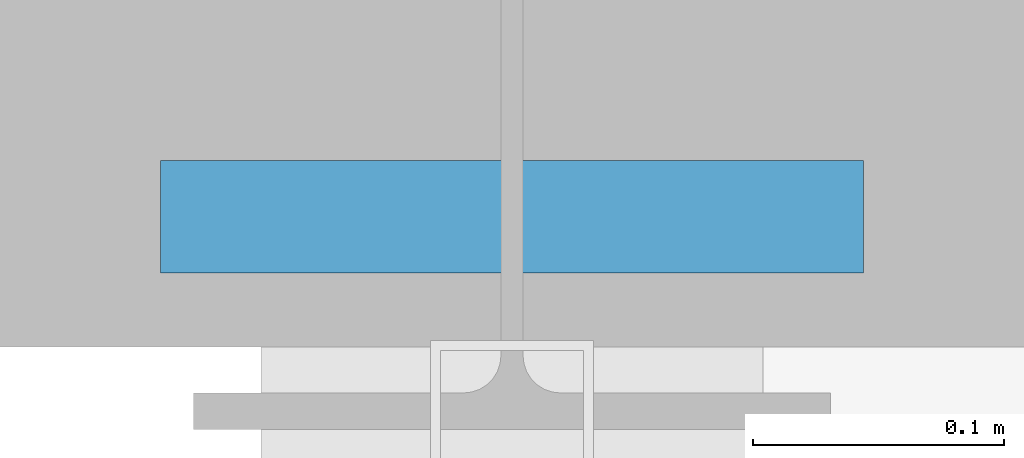
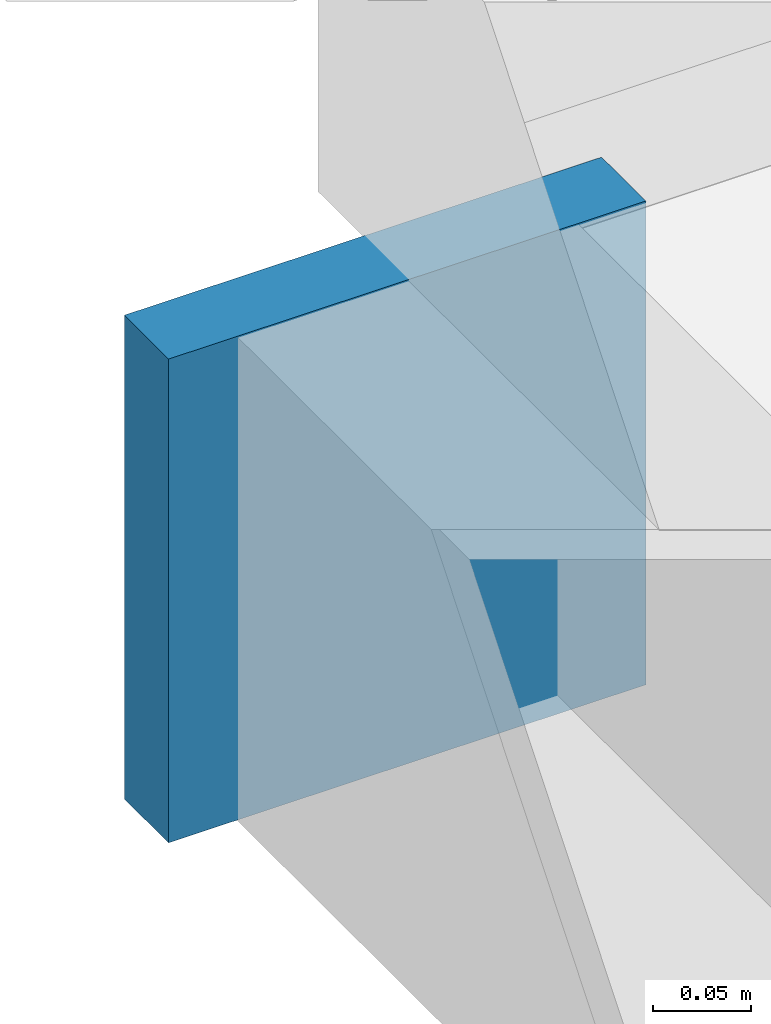
# One storey, part 80 of 96: 1 plate.
"""IFC4 building model written with IfcOpenShell, lengths in metres."""

from ifc_helpers import new_model, si_unit, direction, frame, origin, origin_2d, place, context, subcontext, project, spatial, rectangle, extrude, material, layer, layer_set, type_object, element, save


model = new_model("IFC4")

# Units and contexts
model_context = context("Model", 3, precision=1e-05, world=origin(), true_north=direction((0.0, 1.0)))
body_context = subcontext(model_context, "Body", "Model", "MODEL_VIEW")
ifc_project = project(units=[si_unit("LENGTHUNIT", "METRE"), si_unit("AREAUNIT", "SQUARE_METRE"), si_unit("VOLUMEUNIT", "CUBIC_METRE"), si_unit("PLANEANGLEUNIT", "RADIAN"), si_unit("MASSUNIT", "GRAM", prefix="KILO")], contexts=[model_context])

# Site, building, storey
site_placement = place(None, origin())
site = spatial("IfcSite", under=ifc_project, at=site_placement, CompositionType="ELEMENT")
building_placement = place(site_placement, origin())
building = spatial("IfcBuilding", under=site, at=building_placement, Name="Caisbarro Railhouse Central Library", CompositionType="ELEMENT")
storey_placement = place(building_placement, frame((0.0, 0.0, 13.679931640625)))
storey = spatial("IfcBuildingStorey", under=building, at=storey_placement, Name="L03", CompositionType="ELEMENT", Elevation=13.679931640625)

# Plate
ifc_material = material(Name="Steel ASTM A572 Grade 50", Category="steel")
ifc_layer = layer(ifc_material, 0.044921875, Name="Steel ASTM A572 Grade 50")
ifc_layer_set = layer_set([ifc_layer], Name="Steel ASTM A572 Grade 50")
plate_type = type_object("IfcPlateType", Name="PLT-EP01", PredefinedType="SHEET", material=ifc_layer_set)
plate_placement = place(storey_placement, frame((117.0, 113.931884765625, -0.52001953125), z_axis=(0.0, 0.0, 1.0), x_axis=(0.0, 1.0, 0.0)))
element("IfcPlate", 1, at=plate_placement, inside=storey, type_object=plate_type, Name="EP01 end cap plate", PredefinedType="SHEET", context=body_context, shape_type="SweptSolid", body=[
    extrude(rectangle(XDim=0.044921875, YDim=0.280029296875, at=origin_2d()), origin(), (0.0, 0.0, 1.0), 0.300048828125),
])

save(model, "model.ifc")
